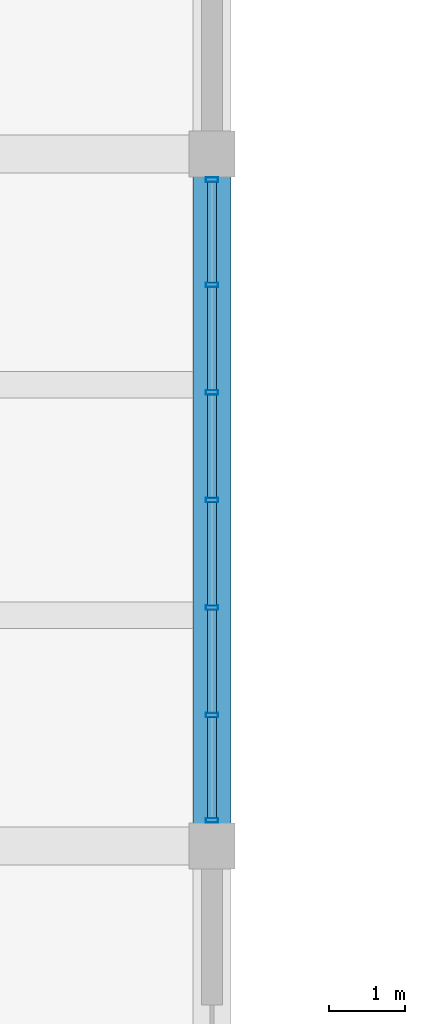
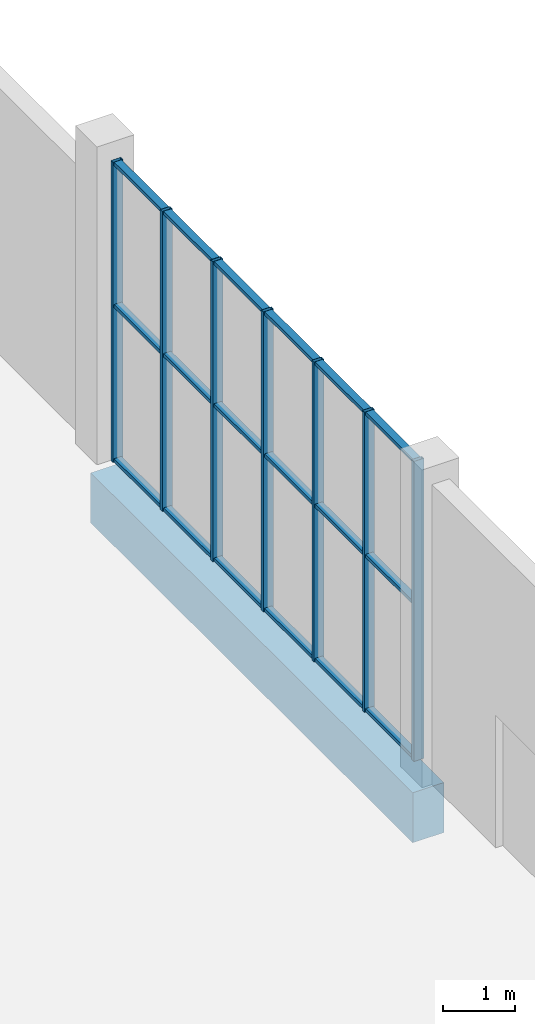
# One storey, part 23 of 132: 25 members, 1 beam, 1 element without a shape of its own.
"""IFC4 building model written with IfcOpenShell, lengths in metres."""

import ifcopenshell
import ifcopenshell.guid

model = None  # the IFC model being written
_history = None  # IfcOwnerHistory: only IFC2X3 demands one
_inside = {}  # id of a spatial element -> (the spatial element, [elements in it])
_under = {}  # id of a project, library or spatial element -> (it, [spatial elements below it])
_declared = {}  # id of a project -> (the project, [libraries it declares])
_typed = {}  # id of a type object -> (the type object, [elements of that type])
_made_of = {}  # id of a material, layer set ... -> (it, [elements and type objects made of it])


def new_model(schema):
    """Start an empty IFC model of exactly this schema.

    Asked for "IFC4X3", IfcOpenShell would pick the latest addendum, in which some entities
    have other attributes; the version numbers below select the first issue.
    IFC2X3 requires an IfcOwnerHistory on every rooted entity: one is made here for all.
    """
    global model, _history
    if schema == "IFC4X3":
        model = ifcopenshell.file(schema_version=(4, 3, 0, 0))
    else:
        model = ifcopenshell.file(schema=schema)
    _inside.clear()
    _under.clear()
    _declared.clear()
    _typed.clear()
    _made_of.clear()
    _history = None
    if model.schema == "IFC2X3":
        org = make("IfcOrganization", Name="unknown")
        user = make(
            "IfcPersonAndOrganization",
            ThePerson=make("IfcPerson", FamilyName="unknown"),
            TheOrganization=org,
        )
        app = make(
            "IfcApplication",
            ApplicationDeveloper=org,
            Version="unknown",
            ApplicationFullName="unknown",
            ApplicationIdentifier="unknown",
        )
        _history = make(
            "IfcOwnerHistory",
            OwningUser=user,
            OwningApplication=app,
            ChangeAction="ADDED",
            CreationDate=0,
        )
    return model


def make(cls, **values):
    """One entity of the class cls with the attributes given. An attribute that is None is left unset."""
    return model.create_entity(
        cls, **{name: value for name, value in values.items() if value is not None}
    )


def rooted(cls, **values):
    """An entity with a GlobalId (a new one), such as an element, a storey or a relation."""
    return make(cls, GlobalId=ifcopenshell.guid.new(), OwnerHistory=_history, **values)


def si_unit(unit_type, name, prefix=None):
    """IfcSIUnit, for example si_unit("LENGTHUNIT", "METRE", prefix="MILLI")."""
    return make("IfcSIUnit", UnitType=unit_type, Prefix=prefix, Name=name)


def assignment(units):
    """IfcUnitAssignment: the units of a project."""
    return None if units is None else make("IfcUnitAssignment", Units=units)


def point(xyz):
    """IfcCartesianPoint."""
    return None if xyz is None else make("IfcCartesianPoint", Coordinates=xyz)


def direction(xyz):
    """IfcDirection."""
    return None if xyz is None else make("IfcDirection", DirectionRatios=xyz)


def frame(location, z_axis=None, x_axis=None):
    """IfcAxis2Placement3D, a coordinate frame: its origin and axes. An axis left out is left unset."""
    return make(
        "IfcAxis2Placement3D",
        Location=point(location),
        Axis=direction(z_axis),
        RefDirection=direction(x_axis),
    )


def frame_2d(location, x_axis=None):
    """IfcAxis2Placement2D, a coordinate frame in the plane: its origin and x axis."""
    return make(
        "IfcAxis2Placement2D", Location=point(location), RefDirection=direction(x_axis)
    )


def origin():
    """The frame at (0, 0, 0) with its axes left unset."""
    return frame((0.0, 0.0, 0.0))


def origin_2d():
    """The frame at (0, 0) in the plane with its x axis left unset."""
    return frame_2d((0.0, 0.0))


def place(relative_to, where):
    """IfcLocalPlacement: puts the frame where relative to a parent placement (None: the world)."""
    return make(
        "IfcLocalPlacement", PlacementRelTo=relative_to, RelativePlacement=where
    )


def context(
    kind, dimensions, precision=None, world=None, true_north=None, identifier=None
):
    """IfcGeometricRepresentationContext, for example the 3D "Model" context."""
    return make(
        "IfcGeometricRepresentationContext",
        ContextIdentifier=identifier,
        ContextType=kind,
        CoordinateSpaceDimension=dimensions,
        Precision=precision,
        WorldCoordinateSystem=world,
        TrueNorth=true_north,
    )


def subcontext(parent, identifier, kind, view, scale=None):
    """IfcGeometricRepresentationSubContext, for example "Body" below "Model"."""
    return make(
        "IfcGeometricRepresentationSubContext",
        ContextIdentifier=identifier,
        ContextType=kind,
        ParentContext=parent,
        TargetScale=scale,
        TargetView=view,
    )


def project(units=None, contexts=None):
    """IfcProject with its units and contexts."""
    return rooted(
        "IfcProject",
        Name="project",
        RepresentationContexts=contexts,
        UnitsInContext=assignment(units),
    )


def spatial(cls, under=None, at=None, **own):
    """A site, building, storey or space (cls), placed at a placement, below another one or the project."""
    s = rooted(cls, ObjectPlacement=at, **own)
    if under is not None:
        _under.setdefault(under.id(), (under, []))[1].append(s)
    return s


def profile(cls, at=None, kind="AREA", **sizes):
    """A parametric profile (cls). Its sizes go by their IFC names, for example OverallWidth=200.0."""
    return make(cls, ProfileType=kind, Position=at, **sizes)


def rectangle(**sizes):
    """IfcRectangleProfileDef."""
    return profile("IfcRectangleProfileDef", **sizes)


def hollow_rectangle(**sizes):
    """IfcRectangleHollowProfileDef."""
    return profile("IfcRectangleHollowProfileDef", **sizes)


def extrude(swept, where, along, depth):
    """IfcExtrudedAreaSolid: the profile swept, set in the frame where, extruded along a direction by depth."""
    return make(
        "IfcExtrudedAreaSolid",
        SweptArea=swept,
        Position=where,
        ExtrudedDirection=direction(along),
        Depth=depth,
    )


def shape(context_of_items, identifier, shape_type, items):
    """IfcShapeRepresentation: the items that make up one representation, for example the "Body"."""
    return make(
        "IfcShapeRepresentation",
        ContextOfItems=context_of_items,
        RepresentationIdentifier=identifier,
        RepresentationType=shape_type,
        Items=items,
    )


def material(Name=None, Category=None):
    """IfcMaterial."""
    return make("IfcMaterial", Name=Name, Category=Category)


def material_profile(
    of_material, cross_section, Name=None, Category=None, Priority=None
):
    """IfcMaterialProfile: a cross section and its material."""
    return make(
        "IfcMaterialProfile",
        Name=Name,
        Material=of_material,
        Profile=cross_section,
        Priority=Priority,
        Category=Category,
    )


def profile_set(profiles, Name=None, composite=None):
    """IfcMaterialProfileSet."""
    return make(
        "IfcMaterialProfileSet",
        Name=Name,
        MaterialProfiles=profiles,
        CompositeProfile=composite,
    )


def made_of(thing, what):
    """Note that an element or type object is made of a material, layer set ...; save() writes the relation."""
    if what is not None:
        _made_of.setdefault(what.id(), (what, []))[1].append(thing)
    return thing


def type_object(cls, material=None, **own):
    """A type object (cls), such as IfcWallType, which elements share."""
    return made_of(rooted(cls, **own), material)


def element(
    cls,
    number,
    at=None,
    inside=None,
    cuts=None,
    type_object=None,
    material=None,
    context=None,
    identifier="Body",
    shape_type=None,
    held_by="IfcProductDefinitionShape",
    body=None,
    shapes=None,
    **own,
):
    """One element of the class cls, such as IfcWall. Its Tag is "e" and its number.

    at: its placement. inside: the storey or other place that contains it. cuts: it is an
    opening in that element (IfcRelVoidsElement). A single representation is given by context,
    identifier, shape_type and body (its items); several are given by shapes. held_by: the class
    of the entity that holds the representations. save() writes the other relations.
    """
    e = rooted(cls, Tag="e%d" % number, ObjectPlacement=at, **own)
    if body is not None:
        shapes = [shape(context, identifier, shape_type, body)]
    if shapes is not None:
        e.Representation = make(held_by, Representations=shapes)
    if inside is not None:
        _inside.setdefault(inside.id(), (inside, []))[1].append(e)
    if cuts is not None:
        rooted(
            "IfcRelVoidsElement", RelatingBuildingElement=cuts, RelatedOpeningElement=e
        )
    if type_object is not None:
        _typed.setdefault(type_object.id(), (type_object, []))[1].append(e)
    return made_of(e, material)


def aggregate(whole, parts):
    """IfcRelAggregates: a whole, such as a stair, and the parts it consists of."""
    return rooted("IfcRelAggregates", RelatingObject=whole, RelatedObjects=parts)


def save(model, path):
    """Write the relations noted so far, then the file.

    IfcRelAggregates (storeys below a building ...), IfcRelContainedInSpatialStructure (elements
    in a storey), IfcRelDefinesByType, IfcRelAssociatesMaterial and IfcRelDeclares: one each for
    every whole, place, type object, material and project.
    """
    for whole, parts in _under.values():
        aggregate(whole, parts)
    for where, things in _inside.values():
        rooted(
            "IfcRelContainedInSpatialStructure",
            RelatedElements=things,
            RelatingStructure=where,
        )
    for kind, things in _typed.values():
        rooted("IfcRelDefinesByType", RelatedObjects=things, RelatingType=kind)
    for what, things in _made_of.values():
        rooted("IfcRelAssociatesMaterial", RelatedObjects=things, RelatingMaterial=what)
    for by, libraries in _declared.values():
        rooted("IfcRelDeclares", RelatingContext=by, RelatedDefinitions=libraries)
    model.write(path)


model = new_model("IFC4")

# Units and contexts
model_context = context("Model", 3, precision=1e-05, world=origin(), true_north=direction((0.0, 1.0)))
body_context = subcontext(model_context, "Body", "Model", "MODEL_VIEW")
ifc_project = project(units=[si_unit("LENGTHUNIT", "METRE"), si_unit("AREAUNIT", "SQUARE_METRE"), si_unit("VOLUMEUNIT", "CUBIC_METRE"), si_unit("PLANEANGLEUNIT", "RADIAN"), si_unit("MASSUNIT", "GRAM", prefix="KILO")], contexts=[model_context])

# Site, building, storey
site_placement = place(None, origin())
site = spatial("IfcSite", under=ifc_project, at=site_placement, CompositionType="ELEMENT")
building_placement = place(site_placement, origin())
building = spatial("IfcBuilding", under=site, at=building_placement, Name="Khurvash Pelagic Aquarium", CompositionType="ELEMENT")
storey_placement = place(building_placement, frame((0.0, 0.0, 5.39990234375)))
storey = spatial("IfcBuildingStorey", under=building, at=storey_placement, Name="L01", CompositionType="ELEMENT", Elevation=5.39990234375)

# Curtain wall, members
ifc_material_1 = material(Name="Anodised aluminium and low-E laminated glass", Category="aluminium")
curtain_wall_type = type_object("IfcCurtainWallType", Name="CW-06", PredefinedType="USERDEFINED", material=ifc_material_1)
curtain_wall_placement = place(storey_placement, origin())
curtain_wall = element("IfcCurtainWall", 1, at=curtain_wall_placement, inside=storey, type_object=curtain_wall_type, Name="L01 Facade Unitised Curtain Wall CW-06 0148", ObjectType="UNITISED CURTAIN WALL", PredefinedType="USERDEFINED")
ifc_material_2 = material(Name="Extruded aluminium AW-6063-T6", Category="aluminium")
ifc_material_profile_1 = material_profile(ifc_material_2, hollow_rectangle(XDim=0.06005859375, YDim=0.159912109375, WallThickness=0.00390625, at=origin_2d()), Name="CWM60X160X4")
ifc_profile_set_1 = profile_set([ifc_material_profile_1], Name="Extruded aluminium AW-6063-T6")
member_type_1 = type_object("IfcMemberType", Name="CM-02", PredefinedType="MULLION", material=ifc_profile_set_1)
member_1_placement = place(storey_placement, frame((33.60009765625, 39.135009765625, 0.0), z_axis=(0.0, 0.0, 1.0), x_axis=(0.0, 1.0, 0.0)))
member_1 = element("IfcMember", 2, at=member_1_placement, type_object=member_type_1, Name="CW-06 mullion 1", PredefinedType="MULLION", context=body_context, shape_type="SweptSolid", body=[
    extrude(hollow_rectangle(XDim=0.06005859375, YDim=0.159912109375, WallThickness=0.00390625, at=origin_2d()), origin(), (0.0, 0.0, 1.0), 5.10009765625),
])
member_2_placement = place(storey_placement, frame((33.60009765625, 40.51171875, 0.0), z_axis=(0.0, 0.0, 1.0), x_axis=(0.0, 1.0, 0.0)))
member_2 = element("IfcMember", 3, at=member_2_placement, type_object=member_type_1, Name="CW-06 mullion 2", PredefinedType="MULLION", context=body_context, shape_type="SweptSolid", body=[
    extrude(hollow_rectangle(XDim=0.06005859375, YDim=0.159912109375, WallThickness=0.00390625, at=origin_2d()), origin(), (0.0, 0.0, 1.0), 5.10009765625),
])
member_3_placement = place(storey_placement, frame((33.60009765625, 41.918212890625, 0.0), z_axis=(0.0, 0.0, 1.0), x_axis=(0.0, 1.0, 0.0)))
member_3 = element("IfcMember", 4, at=member_3_placement, type_object=member_type_1, Name="CW-06 mullion 3", PredefinedType="MULLION", context=body_context, shape_type="SweptSolid", body=[
    extrude(hollow_rectangle(XDim=0.06005859375, YDim=0.159912109375, WallThickness=0.00390625, at=origin_2d()), origin(), (0.0, 0.0, 1.0), 5.10009765625),
])
member_4_placement = place(storey_placement, frame((33.60009765625, 43.324951171875, 0.0), z_axis=(0.0, 0.0, 1.0), x_axis=(0.0, 1.0, 0.0)))
member_4 = element("IfcMember", 5, at=member_4_placement, type_object=member_type_1, Name="CW-06 mullion 4", PredefinedType="MULLION", context=body_context, shape_type="SweptSolid", body=[
    extrude(hollow_rectangle(XDim=0.06005859375, YDim=0.159912109375, WallThickness=0.00390625, at=origin_2d()), origin(), (0.0, 0.0, 1.0), 5.10009765625),
])
member_5_placement = place(storey_placement, frame((33.60009765625, 44.731689453125, 0.0), z_axis=(0.0, 0.0, 1.0), x_axis=(0.0, 1.0, 0.0)))
member_5 = element("IfcMember", 6, at=member_5_placement, type_object=member_type_1, Name="CW-06 mullion 5", PredefinedType="MULLION", context=body_context, shape_type="SweptSolid", body=[
    extrude(hollow_rectangle(XDim=0.06005859375, YDim=0.159912109375, WallThickness=0.00390625, at=origin_2d()), origin(), (0.0, 0.0, 1.0), 5.10009765625),
])
member_6_placement = place(storey_placement, frame((33.60009765625, 46.138427734375, 0.0), z_axis=(0.0, 0.0, 1.0), x_axis=(0.0, 1.0, 0.0)))
member_6 = element("IfcMember", 7, at=member_6_placement, type_object=member_type_1, Name="CW-06 mullion 6", PredefinedType="MULLION", context=body_context, shape_type="SweptSolid", body=[
    extrude(hollow_rectangle(XDim=0.06005859375, YDim=0.159912109375, WallThickness=0.00390625, at=origin_2d()), origin(), (0.0, 0.0, 1.0), 5.10009765625),
])
member_7_placement = place(storey_placement, frame((33.60009765625, 47.514892578125, 0.0), z_axis=(0.0, 0.0, 1.0), x_axis=(0.0, 1.0, 0.0)))
member_7 = element("IfcMember", 8, at=member_7_placement, type_object=member_type_1, Name="CW-06 mullion 7", PredefinedType="MULLION", context=body_context, shape_type="SweptSolid", body=[
    extrude(hollow_rectangle(XDim=0.06005859375, YDim=0.159912109375, WallThickness=0.00390625, at=origin_2d()), origin(), (0.0, 0.0, 1.0), 5.10009765625),
])
ifc_material_profile_2 = material_profile(ifc_material_2, hollow_rectangle(XDim=0.1201171875, YDim=0.06005859375, WallThickness=0.00390625, at=origin_2d()), Name="CWT120X60X4")
ifc_profile_set_2 = profile_set([ifc_material_profile_2], Name="Extruded aluminium AW-6063-T6")
member_type_2 = type_object("IfcMemberType", Name="CT-02", PredefinedType="USERDEFINED", material=ifc_profile_set_2)
member_8_placement = place(storey_placement, frame((33.60009765625, 39.1650390625, 0.030029296875), z_axis=(0.0, 1.0, 0.0), x_axis=(-1.0, 0.0, 0.0)))
member_8 = element("IfcMember", 9, at=member_8_placement, type_object=member_type_2, Name="CW-06 transom 1.1", ObjectType="TRANSOM", PredefinedType="USERDEFINED", context=body_context, shape_type="SweptSolid", body=[
    extrude(hollow_rectangle(XDim=0.1201171875, YDim=0.06005859375, WallThickness=0.00390625, at=origin_2d()), origin(), (0.0, 0.0, 1.0), 1.316650390625),
])
member_9_placement = place(storey_placement, frame((33.60009765625, 39.1650390625, 2.652099609375), z_axis=(0.0, 1.0, 0.0), x_axis=(-1.0, 0.0, 0.0)))
member_9 = element("IfcMember", 10, at=member_9_placement, type_object=member_type_2, Name="CW-06 transom 1.2", ObjectType="TRANSOM", PredefinedType="USERDEFINED", context=body_context, shape_type="SweptSolid", body=[
    extrude(hollow_rectangle(XDim=0.1201171875, YDim=0.06005859375, WallThickness=0.00390625, at=origin_2d()), origin(), (0.0, 0.0, 1.0), 1.316650390625),
])
member_10_placement = place(storey_placement, frame((33.60009765625, 39.1650390625, 5.070068359375), z_axis=(0.0, 1.0, 0.0), x_axis=(-1.0, 0.0, 0.0)))
member_10 = element("IfcMember", 11, at=member_10_placement, type_object=member_type_2, Name="CW-06 transom 1.3", ObjectType="TRANSOM", PredefinedType="USERDEFINED", context=body_context, shape_type="SweptSolid", body=[
    extrude(hollow_rectangle(XDim=0.1201171875, YDim=0.06005859375, WallThickness=0.00390625, at=origin_2d()), origin(), (0.0, 0.0, 1.0), 1.316650390625),
])
member_11_placement = place(storey_placement, frame((33.60009765625, 40.541748046875, 0.030029296875), z_axis=(0.0, 1.0, 0.0), x_axis=(-1.0, 0.0, 0.0)))
member_11 = element("IfcMember", 12, at=member_11_placement, type_object=member_type_2, Name="CW-06 transom 2.1", ObjectType="TRANSOM", PredefinedType="USERDEFINED", context=body_context, shape_type="SweptSolid", body=[
    extrude(hollow_rectangle(XDim=0.1201171875, YDim=0.06005859375, WallThickness=0.00390625, at=origin_2d()), origin(), (0.0, 0.0, 1.0), 1.3466796875),
])
member_12_placement = place(storey_placement, frame((33.60009765625, 40.541748046875, 2.652099609375), z_axis=(0.0, 1.0, 0.0), x_axis=(-1.0, 0.0, 0.0)))
member_12 = element("IfcMember", 13, at=member_12_placement, type_object=member_type_2, Name="CW-06 transom 2.2", ObjectType="TRANSOM", PredefinedType="USERDEFINED", context=body_context, shape_type="SweptSolid", body=[
    extrude(hollow_rectangle(XDim=0.1201171875, YDim=0.06005859375, WallThickness=0.00390625, at=origin_2d()), origin(), (0.0, 0.0, 1.0), 1.3466796875),
])
member_13_placement = place(storey_placement, frame((33.60009765625, 40.541748046875, 5.070068359375), z_axis=(0.0, 1.0, 0.0), x_axis=(-1.0, 0.0, 0.0)))
member_13 = element("IfcMember", 14, at=member_13_placement, type_object=member_type_2, Name="CW-06 transom 2.3", ObjectType="TRANSOM", PredefinedType="USERDEFINED", context=body_context, shape_type="SweptSolid", body=[
    extrude(hollow_rectangle(XDim=0.1201171875, YDim=0.06005859375, WallThickness=0.00390625, at=origin_2d()), origin(), (0.0, 0.0, 1.0), 1.3466796875),
])
member_14_placement = place(storey_placement, frame((33.60009765625, 41.9482421875, 0.030029296875), z_axis=(0.0, 1.0, 0.0), x_axis=(-1.0, 0.0, 0.0)))
member_14 = element("IfcMember", 15, at=member_14_placement, type_object=member_type_2, Name="CW-06 transom 3.1", ObjectType="TRANSOM", PredefinedType="USERDEFINED", context=body_context, shape_type="SweptSolid", body=[
    extrude(hollow_rectangle(XDim=0.1201171875, YDim=0.06005859375, WallThickness=0.00390625, at=origin_2d()), origin(), (0.0, 0.0, 1.0), 1.3466796875),
])
member_15_placement = place(storey_placement, frame((33.60009765625, 41.9482421875, 2.652099609375), z_axis=(0.0, 1.0, 0.0), x_axis=(-1.0, 0.0, 0.0)))
member_15 = element("IfcMember", 16, at=member_15_placement, type_object=member_type_2, Name="CW-06 transom 3.2", ObjectType="TRANSOM", PredefinedType="USERDEFINED", context=body_context, shape_type="SweptSolid", body=[
    extrude(hollow_rectangle(XDim=0.1201171875, YDim=0.06005859375, WallThickness=0.00390625, at=origin_2d()), origin(), (0.0, 0.0, 1.0), 1.3466796875),
])
member_16_placement = place(storey_placement, frame((33.60009765625, 41.9482421875, 5.070068359375), z_axis=(0.0, 1.0, 0.0), x_axis=(-1.0, 0.0, 0.0)))
member_16 = element("IfcMember", 17, at=member_16_placement, type_object=member_type_2, Name="CW-06 transom 3.3", ObjectType="TRANSOM", PredefinedType="USERDEFINED", context=body_context, shape_type="SweptSolid", body=[
    extrude(hollow_rectangle(XDim=0.1201171875, YDim=0.06005859375, WallThickness=0.00390625, at=origin_2d()), origin(), (0.0, 0.0, 1.0), 1.3466796875),
])
member_17_placement = place(storey_placement, frame((33.60009765625, 43.35498046875, 0.030029296875), z_axis=(0.0, 1.0, 0.0), x_axis=(-1.0, 0.0, 0.0)))
member_17 = element("IfcMember", 18, at=member_17_placement, type_object=member_type_2, Name="CW-06 transom 4.1", ObjectType="TRANSOM", PredefinedType="USERDEFINED", context=body_context, shape_type="SweptSolid", body=[
    extrude(hollow_rectangle(XDim=0.1201171875, YDim=0.06005859375, WallThickness=0.00390625, at=origin_2d()), origin(), (0.0, 0.0, 1.0), 1.3466796875),
])
member_18_placement = place(storey_placement, frame((33.60009765625, 43.35498046875, 2.652099609375), z_axis=(0.0, 1.0, 0.0), x_axis=(-1.0, 0.0, 0.0)))
member_18 = element("IfcMember", 19, at=member_18_placement, type_object=member_type_2, Name="CW-06 transom 4.2", ObjectType="TRANSOM", PredefinedType="USERDEFINED", context=body_context, shape_type="SweptSolid", body=[
    extrude(hollow_rectangle(XDim=0.1201171875, YDim=0.06005859375, WallThickness=0.00390625, at=origin_2d()), origin(), (0.0, 0.0, 1.0), 1.3466796875),
])
member_19_placement = place(storey_placement, frame((33.60009765625, 43.35498046875, 5.070068359375), z_axis=(0.0, 1.0, 0.0), x_axis=(-1.0, 0.0, 0.0)))
member_19 = element("IfcMember", 20, at=member_19_placement, type_object=member_type_2, Name="CW-06 transom 4.3", ObjectType="TRANSOM", PredefinedType="USERDEFINED", context=body_context, shape_type="SweptSolid", body=[
    extrude(hollow_rectangle(XDim=0.1201171875, YDim=0.06005859375, WallThickness=0.00390625, at=origin_2d()), origin(), (0.0, 0.0, 1.0), 1.3466796875),
])
member_20_placement = place(storey_placement, frame((33.60009765625, 44.76171875, 0.030029296875), z_axis=(0.0, 1.0, 0.0), x_axis=(-1.0, 0.0, 0.0)))
member_20 = element("IfcMember", 21, at=member_20_placement, type_object=member_type_2, Name="CW-06 transom 5.1", ObjectType="TRANSOM", PredefinedType="USERDEFINED", context=body_context, shape_type="SweptSolid", body=[
    extrude(hollow_rectangle(XDim=0.1201171875, YDim=0.06005859375, WallThickness=0.00390625, at=origin_2d()), origin(), (0.0, 0.0, 1.0), 1.3466796875),
])
member_21_placement = place(storey_placement, frame((33.60009765625, 44.76171875, 2.652099609375), z_axis=(0.0, 1.0, 0.0), x_axis=(-1.0, 0.0, 0.0)))
member_21 = element("IfcMember", 22, at=member_21_placement, type_object=member_type_2, Name="CW-06 transom 5.2", ObjectType="TRANSOM", PredefinedType="USERDEFINED", context=body_context, shape_type="SweptSolid", body=[
    extrude(hollow_rectangle(XDim=0.1201171875, YDim=0.06005859375, WallThickness=0.00390625, at=origin_2d()), origin(), (0.0, 0.0, 1.0), 1.3466796875),
])
member_22_placement = place(storey_placement, frame((33.60009765625, 44.76171875, 5.070068359375), z_axis=(0.0, 1.0, 0.0), x_axis=(-1.0, 0.0, 0.0)))
member_22 = element("IfcMember", 23, at=member_22_placement, type_object=member_type_2, Name="CW-06 transom 5.3", ObjectType="TRANSOM", PredefinedType="USERDEFINED", context=body_context, shape_type="SweptSolid", body=[
    extrude(hollow_rectangle(XDim=0.1201171875, YDim=0.06005859375, WallThickness=0.00390625, at=origin_2d()), origin(), (0.0, 0.0, 1.0), 1.3466796875),
])
member_23_placement = place(storey_placement, frame((33.60009765625, 46.168212890625, 0.030029296875), z_axis=(0.0, 1.0, 0.0), x_axis=(-1.0, 0.0, 0.0)))
member_23 = element("IfcMember", 24, at=member_23_placement, type_object=member_type_2, Name="CW-06 transom 6.1", ObjectType="TRANSOM", PredefinedType="USERDEFINED", context=body_context, shape_type="SweptSolid", body=[
    extrude(hollow_rectangle(XDim=0.1201171875, YDim=0.06005859375, WallThickness=0.00390625, at=origin_2d()), origin(), (0.0, 0.0, 1.0), 1.31689453125),
])
member_24_placement = place(storey_placement, frame((33.60009765625, 46.168212890625, 2.652099609375), z_axis=(0.0, 1.0, 0.0), x_axis=(-1.0, 0.0, 0.0)))
member_24 = element("IfcMember", 25, at=member_24_placement, type_object=member_type_2, Name="CW-06 transom 6.2", ObjectType="TRANSOM", PredefinedType="USERDEFINED", context=body_context, shape_type="SweptSolid", body=[
    extrude(hollow_rectangle(XDim=0.1201171875, YDim=0.06005859375, WallThickness=0.00390625, at=origin_2d()), origin(), (0.0, 0.0, 1.0), 1.31689453125),
])
member_25_placement = place(storey_placement, frame((33.60009765625, 46.168212890625, 5.070068359375), z_axis=(0.0, 1.0, 0.0), x_axis=(-1.0, 0.0, 0.0)))
member_25 = element("IfcMember", 26, at=member_25_placement, type_object=member_type_2, Name="CW-06 transom 6.3", ObjectType="TRANSOM", PredefinedType="USERDEFINED", context=body_context, shape_type="SweptSolid", body=[
    extrude(hollow_rectangle(XDim=0.1201171875, YDim=0.06005859375, WallThickness=0.00390625, at=origin_2d()), origin(), (0.0, 0.0, 1.0), 1.31689453125),
])
aggregate(curtain_wall, [member_1, member_2, member_3, member_4, member_5, member_6, member_7, member_8, member_9, member_10, member_11, member_12, member_13, member_14, member_15, member_16, member_17, member_18, member_19, member_20, member_21, member_22, member_23, member_24, member_25])

# Beam
ifc_material_3 = material(Name="Concrete C40/50", Category="concrete")
ifc_material_profile_3 = material_profile(ifc_material_3, rectangle(XDim=0.5, YDim=0.85009765625, at=origin_2d()), Name="RC500X850")
ifc_profile_set_3 = profile_set([ifc_material_profile_3], Name="Concrete C40/50")
beam_type = type_object("IfcBeamType", Name="SEB-03", PredefinedType="SPANDREL", material=ifc_profile_set_3)
beam_placement = place(storey_placement, frame((33.60009765625, 38.840087890625, -0.73486328125), z_axis=(0.0, 1.0, 0.0), x_axis=(-1.0, 0.0, 0.0)))
element("IfcBeam", 27, at=beam_placement, inside=storey, type_object=beam_type, Name="L01 Primary Girder SEB-03 00373", PredefinedType="SPANDREL", context=body_context, shape_type="SweptSolid", body=[
    extrude(rectangle(XDim=0.5, YDim=0.85009765625, at=origin_2d()), origin(), (0.0, 0.0, 1.0), 8.969970703125),
])

save(model, "model.ifc")
